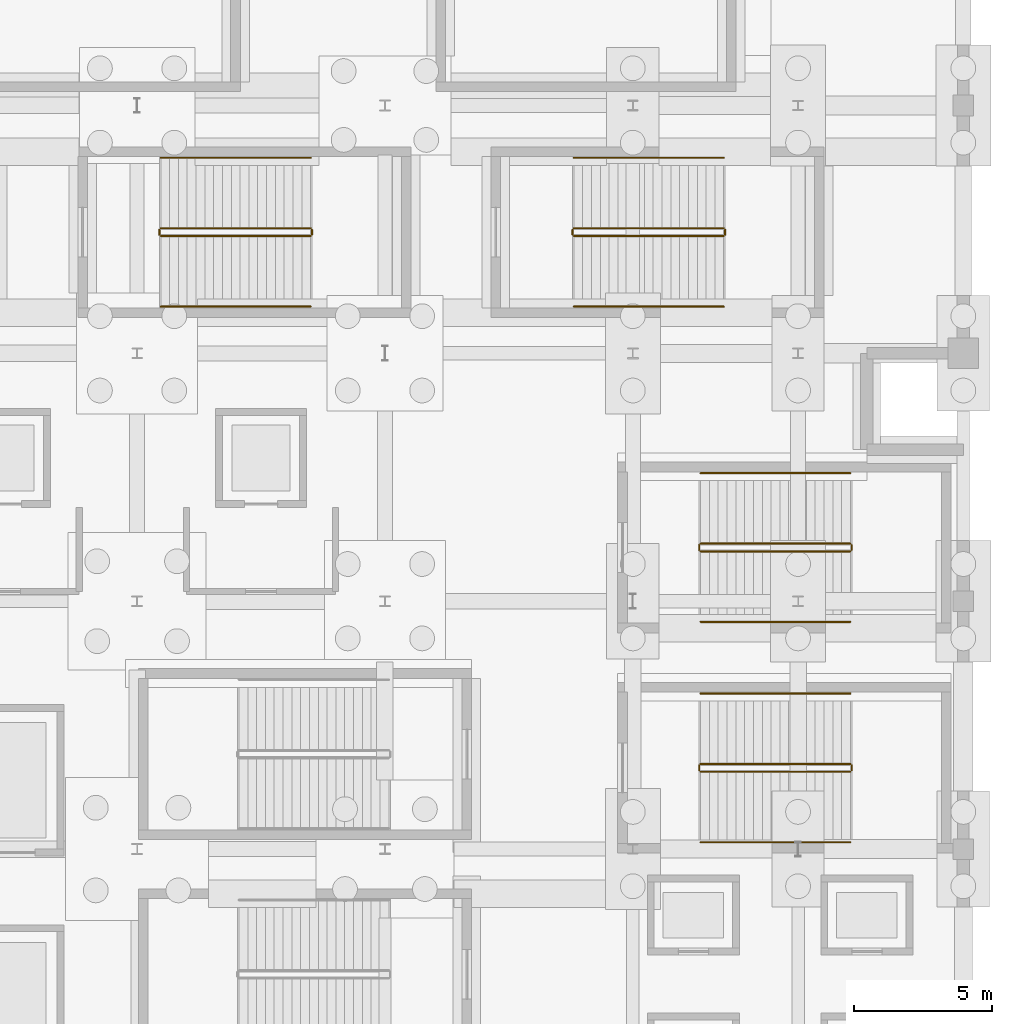
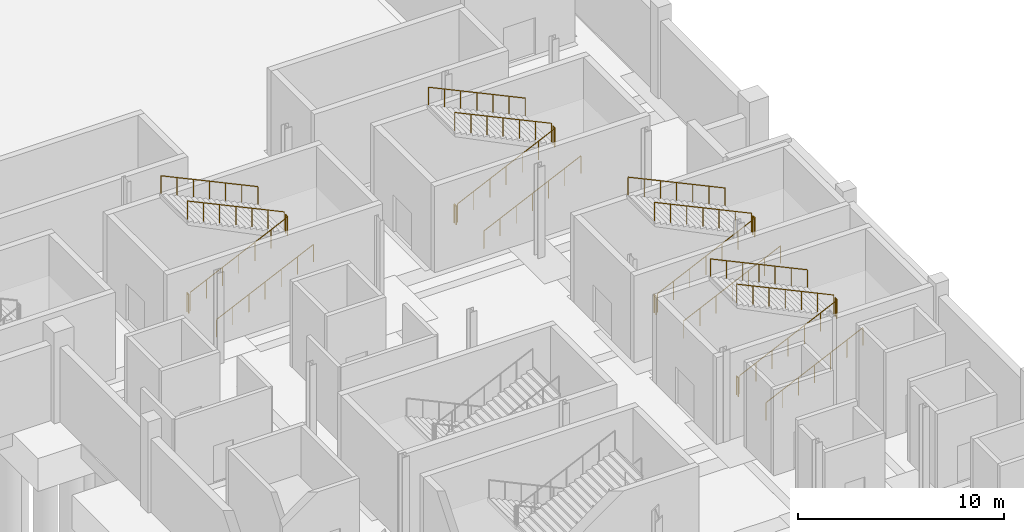
# One storey, part 55 of 58: 24 railings.
"""IFC4 building model written with IfcOpenShell, lengths in metres."""

from ifc_helpers import new_model, si_unit, direction, frame, origin, origin_2d, place, context, subcontext, project, spatial, circle, extrude, material, type_object, element, save


model = new_model("IFC4")

# Units and contexts
model_context = context("Model", 3, precision=1e-05, world=origin(), true_north=direction((0.0, 1.0)))
body_context = subcontext(model_context, "Body", "Model", "MODEL_VIEW")
ifc_project = project(units=[si_unit("LENGTHUNIT", "METRE"), si_unit("AREAUNIT", "SQUARE_METRE"), si_unit("VOLUMEUNIT", "CUBIC_METRE"), si_unit("PLANEANGLEUNIT", "RADIAN"), si_unit("MASSUNIT", "GRAM", prefix="KILO")], contexts=[model_context])

# Site, building, storey
site_placement = place(None, origin())
site = spatial("IfcSite", under=ifc_project, at=site_placement, CompositionType="ELEMENT")
building_placement = place(site_placement, origin())
building = spatial("IfcBuilding", under=site, at=building_placement, Name="Qamarlyn Nura Convention Centre", CompositionType="ELEMENT")
storey_placement = place(building_placement, frame((0.0, 0.0, -5.39990234375)))
storey = spatial("IfcBuildingStorey", under=building, at=storey_placement, Name="B01", CompositionType="ELEMENT", Elevation=-5.39990234375)

# Railings
ifc_material = material(Name="Marine Grade 316 stainless steel", Category="steel")
railing_type_1 = type_object("IfcRailingType", Name="GRD-STAIR-112", PredefinedType="BALUSTRADE", material=ifc_material)
railing_1_placement = place(storey_placement, frame((182.4599609375, 65.81005859375, 0.14990234375)))
element("IfcRailing", 1, at=railing_1_placement, inside=storey, type_object=railing_type_1, Name="B01 ST-13 stair guard 1", PredefinedType="BALUSTRADE", context=body_context, shape_type="SweptSolid", body=[
    extrude(circle(Radius=0.02392578125, at=origin_2d()), frame((0.0, 0.0, 1.09619140625), z_axis=(0.90545405566, 0.0, 0.424444287379), x_axis=(0.0, 1.0, 0.0)), (0.0, 0.0, 1.0), 6.008056640625),
    extrude(circle(Radius=0.02099609375, at=origin_2d()), origin(), (0.0, 0.0, 1.0), 1.070068359375),
    extrude(circle(Radius=0.02099609375, at=origin_2d()), frame((0.90673828125, 0.0, 0.425048828125)), (0.0, 0.0, 1.0), 1.070068359375),
    extrude(circle(Radius=0.02099609375, at=origin_2d()), frame((1.813232421875, 0.0, 0.85009765625)), (0.0, 0.0, 1.0), 1.070068359375),
    extrude(circle(Radius=0.02099609375, at=origin_2d()), frame((2.719970703125, 0.0, 1.27490234375)), (0.0, 0.0, 1.0), 1.070068359375),
    extrude(circle(Radius=0.02099609375, at=origin_2d()), frame((3.626708984375, 0.0, 1.699951171875)), (0.0, 0.0, 1.0), 1.070068359375),
    extrude(circle(Radius=0.02099609375, at=origin_2d()), frame((4.533203125, 0.0, 2.125)), (0.0, 0.0, 1.0), 1.070068359375),
    extrude(circle(Radius=0.02099609375, at=origin_2d()), frame((5.43994140625, 0.0, 2.550048828125)), (0.0, 0.0, 1.0), 1.070068359375),
])
railing_2_placement = place(storey_placement, frame((187.949951171875, 65.860107421875, 2.699951171875)))
element("IfcRailing", 2, at=railing_2_placement, inside=storey, type_object=railing_type_1, Name="B01 ST-13 stair guard 2", PredefinedType="BALUSTRADE", context=body_context, shape_type="SweptSolid", body=[
    extrude(circle(Radius=0.02392578125, at=origin_2d()), frame((0.0, 0.0, 1.09619140625), z_axis=(0.0, 1.0, 0.0), x_axis=(-1.0, 0.0, 0.0)), (0.0, 0.0, 1.0), 0.179931640625),
    extrude(circle(Radius=0.02099609375, at=origin_2d()), origin(), (0.0, 0.0, 1.0), 1.070068359375),
    extrude(circle(Radius=0.02099609375, at=origin_2d()), frame((0.0, 0.179931640625, 0.0)), (0.0, 0.0, 1.0), 1.070068359375),
])
railing_3_placement = place(storey_placement, frame((187.89990234375, 66.090087890625, 2.849853515625)))
element("IfcRailing", 3, at=railing_3_placement, inside=storey, type_object=railing_type_1, Name="B01 ST-13 stair guard 3", PredefinedType="BALUSTRADE", context=body_context, shape_type="SweptSolid", body=[
    extrude(circle(Radius=0.02392578125, at=origin_2d()), frame((0.0, 0.0, 1.09619140625), z_axis=(-0.90545405566, 0.0, 0.424444287379), x_axis=(0.0, -1.0, 0.0)), (0.0, 0.0, 1.0), 6.008056640625),
    extrude(circle(Radius=0.02099609375, at=origin_2d()), origin(), (0.0, 0.0, 1.0), 1.070068359375),
    extrude(circle(Radius=0.02099609375, at=origin_2d()), frame((-0.90673828125, 0.0, 0.425048828125)), (0.0, 0.0, 1.0), 1.070068359375),
    extrude(circle(Radius=0.02099609375, at=origin_2d()), frame((-1.813232421875, 0.0, 0.85009765625)), (0.0, 0.0, 1.0), 1.070068359375),
    extrude(circle(Radius=0.02099609375, at=origin_2d()), frame((-2.719970703125, 0.0, 1.27490234375)), (0.0, 0.0, 1.0), 1.070068359375),
    extrude(circle(Radius=0.02099609375, at=origin_2d()), frame((-3.626708984375, 0.0, 1.699951171875)), (0.0, 0.0, 1.0), 1.070068359375),
    extrude(circle(Radius=0.02099609375, at=origin_2d()), frame((-4.533203125, 0.0, 2.125)), (0.0, 0.0, 1.0), 1.070068359375),
    extrude(circle(Radius=0.02099609375, at=origin_2d()), frame((-5.43994140625, 0.0, 2.550048828125)), (0.0, 0.0, 1.0), 1.070068359375),
])
railing_4_placement = place(storey_placement, frame((182.409912109375, 65.860107421875, 0.0)))
element("IfcRailing", 4, at=railing_4_placement, inside=storey, type_object=railing_type_1, Name="B01 ST-13 stair guard 4", PredefinedType="BALUSTRADE", context=body_context, shape_type="SweptSolid", body=[
    extrude(circle(Radius=0.02392578125, at=origin_2d()), frame((0.0, 0.0, 1.09619140625), z_axis=(0.0, 1.0, 0.0), x_axis=(-1.0, 0.0, 0.0)), (0.0, 0.0, 1.0), 0.179931640625),
    extrude(circle(Radius=0.02099609375, at=origin_2d()), origin(), (0.0, 0.0, 1.0), 1.070068359375),
    extrude(circle(Radius=0.02099609375, at=origin_2d()), frame((0.0, 0.179931640625, 0.0)), (0.0, 0.0, 1.0), 1.070068359375),
])
railing_5_placement = place(storey_placement, frame((182.4599609375, 73.81005859375, 0.14990234375)))
element("IfcRailing", 5, at=railing_5_placement, inside=storey, type_object=railing_type_1, Name="B01 ST-14 stair guard 1", PredefinedType="BALUSTRADE", context=body_context, shape_type="SweptSolid", body=[
    extrude(circle(Radius=0.02392578125, at=origin_2d()), frame((0.0, 0.0, 1.09619140625), z_axis=(0.90545405566, 0.0, 0.424444287379), x_axis=(0.0, 1.0, 0.0)), (0.0, 0.0, 1.0), 6.008056640625),
    extrude(circle(Radius=0.02099609375, at=origin_2d()), origin(), (0.0, 0.0, 1.0), 1.070068359375),
    extrude(circle(Radius=0.02099609375, at=origin_2d()), frame((0.90673828125, 0.0, 0.425048828125)), (0.0, 0.0, 1.0), 1.070068359375),
    extrude(circle(Radius=0.02099609375, at=origin_2d()), frame((1.813232421875, 0.0, 0.85009765625)), (0.0, 0.0, 1.0), 1.070068359375),
    extrude(circle(Radius=0.02099609375, at=origin_2d()), frame((2.719970703125, 0.0, 1.27490234375)), (0.0, 0.0, 1.0), 1.070068359375),
    extrude(circle(Radius=0.02099609375, at=origin_2d()), frame((3.626708984375, 0.0, 1.699951171875)), (0.0, 0.0, 1.0), 1.070068359375),
    extrude(circle(Radius=0.02099609375, at=origin_2d()), frame((4.533203125, 0.0, 2.125)), (0.0, 0.0, 1.0), 1.070068359375),
    extrude(circle(Radius=0.02099609375, at=origin_2d()), frame((5.43994140625, 0.0, 2.550048828125)), (0.0, 0.0, 1.0), 1.070068359375),
])
railing_6_placement = place(storey_placement, frame((187.949951171875, 73.860107421875, 2.699951171875)))
element("IfcRailing", 6, at=railing_6_placement, inside=storey, type_object=railing_type_1, Name="B01 ST-14 stair guard 2", PredefinedType="BALUSTRADE", context=body_context, shape_type="SweptSolid", body=[
    extrude(circle(Radius=0.02392578125, at=origin_2d()), frame((0.0, 0.0, 1.09619140625), z_axis=(0.0, 1.0, 0.0), x_axis=(-1.0, 0.0, 0.0)), (0.0, 0.0, 1.0), 0.179931640625),
    extrude(circle(Radius=0.02099609375, at=origin_2d()), origin(), (0.0, 0.0, 1.0), 1.070068359375),
    extrude(circle(Radius=0.02099609375, at=origin_2d()), frame((0.0, 0.179931640625, 0.0)), (0.0, 0.0, 1.0), 1.070068359375),
])
railing_7_placement = place(storey_placement, frame((187.89990234375, 74.090087890625, 2.849853515625)))
element("IfcRailing", 7, at=railing_7_placement, inside=storey, type_object=railing_type_1, Name="B01 ST-14 stair guard 3", PredefinedType="BALUSTRADE", context=body_context, shape_type="SweptSolid", body=[
    extrude(circle(Radius=0.02392578125, at=origin_2d()), frame((0.0, 0.0, 1.09619140625), z_axis=(-0.90545405566, 0.0, 0.424444287379), x_axis=(0.0, -1.0, 0.0)), (0.0, 0.0, 1.0), 6.008056640625),
    extrude(circle(Radius=0.02099609375, at=origin_2d()), origin(), (0.0, 0.0, 1.0), 1.070068359375),
    extrude(circle(Radius=0.02099609375, at=origin_2d()), frame((-0.90673828125, 0.0, 0.425048828125)), (0.0, 0.0, 1.0), 1.070068359375),
    extrude(circle(Radius=0.02099609375, at=origin_2d()), frame((-1.813232421875, 0.0, 0.85009765625)), (0.0, 0.0, 1.0), 1.070068359375),
    extrude(circle(Radius=0.02099609375, at=origin_2d()), frame((-2.719970703125, 0.0, 1.27490234375)), (0.0, 0.0, 1.0), 1.070068359375),
    extrude(circle(Radius=0.02099609375, at=origin_2d()), frame((-3.626708984375, 0.0, 1.699951171875)), (0.0, 0.0, 1.0), 1.070068359375),
    extrude(circle(Radius=0.02099609375, at=origin_2d()), frame((-4.533203125, 0.0, 2.125)), (0.0, 0.0, 1.0), 1.070068359375),
    extrude(circle(Radius=0.02099609375, at=origin_2d()), frame((-5.43994140625, 0.0, 2.550048828125)), (0.0, 0.0, 1.0), 1.070068359375),
])
railing_8_placement = place(storey_placement, frame((182.409912109375, 73.860107421875, 0.0)))
element("IfcRailing", 8, at=railing_8_placement, inside=storey, type_object=railing_type_1, Name="B01 ST-14 stair guard 4", PredefinedType="BALUSTRADE", context=body_context, shape_type="SweptSolid", body=[
    extrude(circle(Radius=0.02392578125, at=origin_2d()), frame((0.0, 0.0, 1.09619140625), z_axis=(0.0, 1.0, 0.0), x_axis=(-1.0, 0.0, 0.0)), (0.0, 0.0, 1.0), 0.179931640625),
    extrude(circle(Radius=0.02099609375, at=origin_2d()), origin(), (0.0, 0.0, 1.0), 1.070068359375),
    extrude(circle(Radius=0.02099609375, at=origin_2d()), frame((0.0, 0.179931640625, 0.0)), (0.0, 0.0, 1.0), 1.070068359375),
])
railing_9_placement = place(storey_placement, frame((162.860107421875, 85.260009765625, 0.14990234375)))
element("IfcRailing", 9, at=railing_9_placement, inside=storey, type_object=railing_type_1, Name="B01 ST-16 stair guard 1", PredefinedType="BALUSTRADE", context=body_context, shape_type="SweptSolid", body=[
    extrude(circle(Radius=0.02392578125, at=origin_2d()), frame((0.0, 0.0, 1.09619140625), z_axis=(0.90545405566, 0.0, 0.424444287379), x_axis=(0.0, 1.0, 0.0)), (0.0, 0.0, 1.0), 6.008056640625),
    extrude(circle(Radius=0.02099609375, at=origin_2d()), origin(), (0.0, 0.0, 1.0), 1.070068359375),
    extrude(circle(Radius=0.02099609375, at=origin_2d()), frame((0.90673828125, 0.0, 0.425048828125)), (0.0, 0.0, 1.0), 1.070068359375),
    extrude(circle(Radius=0.02099609375, at=origin_2d()), frame((1.813232421875, 0.0, 0.85009765625)), (0.0, 0.0, 1.0), 1.070068359375),
    extrude(circle(Radius=0.02099609375, at=origin_2d()), frame((2.719970703125, 0.0, 1.27490234375)), (0.0, 0.0, 1.0), 1.070068359375),
    extrude(circle(Radius=0.02099609375, at=origin_2d()), frame((3.626708984375, 0.0, 1.699951171875)), (0.0, 0.0, 1.0), 1.070068359375),
    extrude(circle(Radius=0.02099609375, at=origin_2d()), frame((4.533203125, 0.0, 2.125)), (0.0, 0.0, 1.0), 1.070068359375),
    extrude(circle(Radius=0.02099609375, at=origin_2d()), frame((5.43994140625, 0.0, 2.550048828125)), (0.0, 0.0, 1.0), 1.070068359375),
])
railing_10_placement = place(storey_placement, frame((168.35009765625, 85.31005859375, 2.699951171875)))
element("IfcRailing", 10, at=railing_10_placement, inside=storey, type_object=railing_type_1, Name="B01 ST-16 stair guard 2", PredefinedType="BALUSTRADE", context=body_context, shape_type="SweptSolid", body=[
    extrude(circle(Radius=0.02392578125, at=origin_2d()), frame((0.0, 0.0, 1.09619140625), z_axis=(0.0, 1.0, 0.0), x_axis=(-1.0, 0.0, 0.0)), (0.0, 0.0, 1.0), 0.179931640625),
    extrude(circle(Radius=0.02099609375, at=origin_2d()), origin(), (0.0, 0.0, 1.0), 1.070068359375),
    extrude(circle(Radius=0.02099609375, at=origin_2d()), frame((0.0, 0.179931640625, 0.0)), (0.0, 0.0, 1.0), 1.070068359375),
])
railing_11_placement = place(storey_placement, frame((168.300048828125, 85.5400390625, 2.849853515625)))
element("IfcRailing", 11, at=railing_11_placement, inside=storey, type_object=railing_type_1, Name="B01 ST-16 stair guard 3", PredefinedType="BALUSTRADE", context=body_context, shape_type="SweptSolid", body=[
    extrude(circle(Radius=0.02392578125, at=origin_2d()), frame((0.0, 0.0, 1.09619140625), z_axis=(-0.90545405566, 0.0, 0.424444287379), x_axis=(0.0, -1.0, 0.0)), (0.0, 0.0, 1.0), 6.008056640625),
    extrude(circle(Radius=0.02099609375, at=origin_2d()), origin(), (0.0, 0.0, 1.0), 1.070068359375),
    extrude(circle(Radius=0.02099609375, at=origin_2d()), frame((-0.90673828125, 0.0, 0.425048828125)), (0.0, 0.0, 1.0), 1.070068359375),
    extrude(circle(Radius=0.02099609375, at=origin_2d()), frame((-1.813232421875, 0.0, 0.85009765625)), (0.0, 0.0, 1.0), 1.070068359375),
    extrude(circle(Radius=0.02099609375, at=origin_2d()), frame((-2.719970703125, 0.0, 1.27490234375)), (0.0, 0.0, 1.0), 1.070068359375),
    extrude(circle(Radius=0.02099609375, at=origin_2d()), frame((-3.626708984375, 0.0, 1.699951171875)), (0.0, 0.0, 1.0), 1.070068359375),
    extrude(circle(Radius=0.02099609375, at=origin_2d()), frame((-4.533203125, 0.0, 2.125)), (0.0, 0.0, 1.0), 1.070068359375),
    extrude(circle(Radius=0.02099609375, at=origin_2d()), frame((-5.43994140625, 0.0, 2.550048828125)), (0.0, 0.0, 1.0), 1.070068359375),
])
railing_12_placement = place(storey_placement, frame((162.81005859375, 85.31005859375, 0.0)))
element("IfcRailing", 12, at=railing_12_placement, inside=storey, type_object=railing_type_1, Name="B01 ST-16 stair guard 4", PredefinedType="BALUSTRADE", context=body_context, shape_type="SweptSolid", body=[
    extrude(circle(Radius=0.02392578125, at=origin_2d()), frame((0.0, 0.0, 1.09619140625), z_axis=(0.0, 1.0, 0.0), x_axis=(-1.0, 0.0, 0.0)), (0.0, 0.0, 1.0), 0.179931640625),
    extrude(circle(Radius=0.02099609375, at=origin_2d()), origin(), (0.0, 0.0, 1.0), 1.070068359375),
    extrude(circle(Radius=0.02099609375, at=origin_2d()), frame((0.0, 0.179931640625, 0.0)), (0.0, 0.0, 1.0), 1.070068359375),
])
railing_13_placement = place(storey_placement, frame((177.860107421875, 85.260009765625, 0.14990234375)))
element("IfcRailing", 13, at=railing_13_placement, inside=storey, type_object=railing_type_1, Name="B01 ST-17 stair guard 1", PredefinedType="BALUSTRADE", context=body_context, shape_type="SweptSolid", body=[
    extrude(circle(Radius=0.02392578125, at=origin_2d()), frame((0.0, 0.0, 1.09619140625), z_axis=(0.90545405566, 0.0, 0.424444287379), x_axis=(0.0, 1.0, 0.0)), (0.0, 0.0, 1.0), 6.008056640625),
    extrude(circle(Radius=0.02099609375, at=origin_2d()), origin(), (0.0, 0.0, 1.0), 1.070068359375),
    extrude(circle(Radius=0.02099609375, at=origin_2d()), frame((0.90673828125, 0.0, 0.425048828125)), (0.0, 0.0, 1.0), 1.070068359375),
    extrude(circle(Radius=0.02099609375, at=origin_2d()), frame((1.813232421875, 0.0, 0.85009765625)), (0.0, 0.0, 1.0), 1.070068359375),
    extrude(circle(Radius=0.02099609375, at=origin_2d()), frame((2.719970703125, 0.0, 1.27490234375)), (0.0, 0.0, 1.0), 1.070068359375),
    extrude(circle(Radius=0.02099609375, at=origin_2d()), frame((3.626708984375, 0.0, 1.699951171875)), (0.0, 0.0, 1.0), 1.070068359375),
    extrude(circle(Radius=0.02099609375, at=origin_2d()), frame((4.533203125, 0.0, 2.125)), (0.0, 0.0, 1.0), 1.070068359375),
    extrude(circle(Radius=0.02099609375, at=origin_2d()), frame((5.43994140625, 0.0, 2.550048828125)), (0.0, 0.0, 1.0), 1.070068359375),
])
railing_14_placement = place(storey_placement, frame((183.35009765625, 85.31005859375, 2.699951171875)))
element("IfcRailing", 14, at=railing_14_placement, inside=storey, type_object=railing_type_1, Name="B01 ST-17 stair guard 2", PredefinedType="BALUSTRADE", context=body_context, shape_type="SweptSolid", body=[
    extrude(circle(Radius=0.02392578125, at=origin_2d()), frame((0.0, 0.0, 1.09619140625), z_axis=(0.0, 1.0, 0.0), x_axis=(-1.0, 0.0, 0.0)), (0.0, 0.0, 1.0), 0.179931640625),
    extrude(circle(Radius=0.02099609375, at=origin_2d()), origin(), (0.0, 0.0, 1.0), 1.070068359375),
    extrude(circle(Radius=0.02099609375, at=origin_2d()), frame((0.0, 0.179931640625, 0.0)), (0.0, 0.0, 1.0), 1.070068359375),
])
railing_15_placement = place(storey_placement, frame((183.300048828125, 85.5400390625, 2.849853515625)))
element("IfcRailing", 15, at=railing_15_placement, inside=storey, type_object=railing_type_1, Name="B01 ST-17 stair guard 3", PredefinedType="BALUSTRADE", context=body_context, shape_type="SweptSolid", body=[
    extrude(circle(Radius=0.02392578125, at=origin_2d()), frame((0.0, 0.0, 1.09619140625), z_axis=(-0.90545405566, 0.0, 0.424444287379), x_axis=(0.0, -1.0, 0.0)), (0.0, 0.0, 1.0), 6.008056640625),
    extrude(circle(Radius=0.02099609375, at=origin_2d()), origin(), (0.0, 0.0, 1.0), 1.070068359375),
    extrude(circle(Radius=0.02099609375, at=origin_2d()), frame((-0.90673828125, 0.0, 0.425048828125)), (0.0, 0.0, 1.0), 1.070068359375),
    extrude(circle(Radius=0.02099609375, at=origin_2d()), frame((-1.813232421875, 0.0, 0.85009765625)), (0.0, 0.0, 1.0), 1.070068359375),
    extrude(circle(Radius=0.02099609375, at=origin_2d()), frame((-2.719970703125, 0.0, 1.27490234375)), (0.0, 0.0, 1.0), 1.070068359375),
    extrude(circle(Radius=0.02099609375, at=origin_2d()), frame((-3.626708984375, 0.0, 1.699951171875)), (0.0, 0.0, 1.0), 1.070068359375),
    extrude(circle(Radius=0.02099609375, at=origin_2d()), frame((-4.533203125, 0.0, 2.125)), (0.0, 0.0, 1.0), 1.070068359375),
    extrude(circle(Radius=0.02099609375, at=origin_2d()), frame((-5.43994140625, 0.0, 2.550048828125)), (0.0, 0.0, 1.0), 1.070068359375),
])
railing_16_placement = place(storey_placement, frame((177.81005859375, 85.31005859375, 0.0)))
element("IfcRailing", 16, at=railing_16_placement, inside=storey, type_object=railing_type_1, Name="B01 ST-17 stair guard 4", PredefinedType="BALUSTRADE", context=body_context, shape_type="SweptSolid", body=[
    extrude(circle(Radius=0.02392578125, at=origin_2d()), frame((0.0, 0.0, 1.09619140625), z_axis=(0.0, 1.0, 0.0), x_axis=(-1.0, 0.0, 0.0)), (0.0, 0.0, 1.0), 0.179931640625),
    extrude(circle(Radius=0.02099609375, at=origin_2d()), origin(), (0.0, 0.0, 1.0), 1.070068359375),
    extrude(circle(Radius=0.02099609375, at=origin_2d()), frame((0.0, 0.179931640625, 0.0)), (0.0, 0.0, 1.0), 1.070068359375),
])
railing_type_2 = type_object("IfcRailingType", Name="HRL-STAIR-090", PredefinedType="HANDRAIL", material=ifc_material)
railing_17_placement = place(storey_placement, frame((182.4599609375, 63.25, 0.30224609375)))
element("IfcRailing", 17, at=railing_17_placement, inside=storey, type_object=railing_type_2, Name="B01 ST-13 stair handrail 1", PredefinedType="HANDRAIL", context=body_context, shape_type="SweptSolid", body=[
    extrude(circle(Radius=0.02392578125, at=origin_2d()), frame((0.0, 0.0, 0.88818359375), z_axis=(0.90545405566, 0.0, 0.424444287379), x_axis=(0.0, 1.0, 0.0)), (0.0, 0.0, 1.0), 6.008056640625),
    extrude(circle(Radius=0.02099609375, at=origin_2d()), frame((0.0, 0.0, -0.155029296875)), (0.0, 0.0, 1.0), 1.01708984375),
    extrude(circle(Radius=0.02099609375, at=origin_2d()), frame((0.90673828125, 0.0, 0.27001953125)), (0.0, 0.0, 1.0), 1.01708984375),
    extrude(circle(Radius=0.02099609375, at=origin_2d()), frame((1.813232421875, 0.0, 0.695068359375)), (0.0, 0.0, 1.0), 1.01708984375),
    extrude(circle(Radius=0.02099609375, at=origin_2d()), frame((2.719970703125, 0.0, 1.1201171875)), (0.0, 0.0, 1.0), 1.01708984375),
    extrude(circle(Radius=0.02099609375, at=origin_2d()), frame((3.626708984375, 0.0, 1.544921875)), (0.0, 0.0, 1.0), 1.01708984375),
    extrude(circle(Radius=0.02099609375, at=origin_2d()), frame((4.533203125, 0.0, 1.969970703125)), (0.0, 0.0, 1.0), 1.01708984375),
    extrude(circle(Radius=0.02099609375, at=origin_2d()), frame((5.43994140625, 0.0, 2.39501953125)), (0.0, 0.0, 1.0), 1.01708984375),
])
railing_18_placement = place(storey_placement, frame((187.89990234375, 68.64990234375, 3.002197265625)))
element("IfcRailing", 18, at=railing_18_placement, inside=storey, type_object=railing_type_2, Name="B01 ST-13 stair handrail 2", PredefinedType="HANDRAIL", context=body_context, shape_type="SweptSolid", body=[
    extrude(circle(Radius=0.02392578125, at=origin_2d()), frame((0.0, 0.0, 0.88818359375), z_axis=(-0.90545405566, 0.0, 0.424444287379), x_axis=(0.0, -1.0, 0.0)), (0.0, 0.0, 1.0), 6.008056640625),
    extrude(circle(Radius=0.02099609375, at=origin_2d()), frame((0.0, 0.0, -0.155029296875)), (0.0, 0.0, 1.0), 1.01708984375),
    extrude(circle(Radius=0.02099609375, at=origin_2d()), frame((-0.90673828125, 0.0, 0.27001953125)), (0.0, 0.0, 1.0), 1.01708984375),
    extrude(circle(Radius=0.02099609375, at=origin_2d()), frame((-1.813232421875, 0.0, 0.695068359375)), (0.0, 0.0, 1.0), 1.01708984375),
    extrude(circle(Radius=0.02099609375, at=origin_2d()), frame((-2.719970703125, 0.0, 1.1201171875)), (0.0, 0.0, 1.0), 1.01708984375),
    extrude(circle(Radius=0.02099609375, at=origin_2d()), frame((-3.626708984375, 0.0, 1.544921875)), (0.0, 0.0, 1.0), 1.01708984375),
    extrude(circle(Radius=0.02099609375, at=origin_2d()), frame((-4.533203125, 0.0, 1.969970703125)), (0.0, 0.0, 1.0), 1.01708984375),
    extrude(circle(Radius=0.02099609375, at=origin_2d()), frame((-5.43994140625, 0.0, 2.39501953125)), (0.0, 0.0, 1.0), 1.01708984375),
])
railing_19_placement = place(storey_placement, frame((182.4599609375, 71.25, 0.30224609375)))
element("IfcRailing", 19, at=railing_19_placement, inside=storey, type_object=railing_type_2, Name="B01 ST-14 stair handrail 1", PredefinedType="HANDRAIL", context=body_context, shape_type="SweptSolid", body=[
    extrude(circle(Radius=0.02392578125, at=origin_2d()), frame((0.0, 0.0, 0.88818359375), z_axis=(0.90545405566, 0.0, 0.424444287379), x_axis=(0.0, 1.0, 0.0)), (0.0, 0.0, 1.0), 6.008056640625),
    extrude(circle(Radius=0.02099609375, at=origin_2d()), frame((0.0, 0.0, -0.155029296875)), (0.0, 0.0, 1.0), 1.01708984375),
    extrude(circle(Radius=0.02099609375, at=origin_2d()), frame((0.90673828125, 0.0, 0.27001953125)), (0.0, 0.0, 1.0), 1.01708984375),
    extrude(circle(Radius=0.02099609375, at=origin_2d()), frame((1.813232421875, 0.0, 0.695068359375)), (0.0, 0.0, 1.0), 1.01708984375),
    extrude(circle(Radius=0.02099609375, at=origin_2d()), frame((2.719970703125, 0.0, 1.1201171875)), (0.0, 0.0, 1.0), 1.01708984375),
    extrude(circle(Radius=0.02099609375, at=origin_2d()), frame((3.626708984375, 0.0, 1.544921875)), (0.0, 0.0, 1.0), 1.01708984375),
    extrude(circle(Radius=0.02099609375, at=origin_2d()), frame((4.533203125, 0.0, 1.969970703125)), (0.0, 0.0, 1.0), 1.01708984375),
    extrude(circle(Radius=0.02099609375, at=origin_2d()), frame((5.43994140625, 0.0, 2.39501953125)), (0.0, 0.0, 1.0), 1.01708984375),
])
railing_20_placement = place(storey_placement, frame((187.89990234375, 76.64990234375, 3.002197265625)))
element("IfcRailing", 20, at=railing_20_placement, inside=storey, type_object=railing_type_2, Name="B01 ST-14 stair handrail 2", PredefinedType="HANDRAIL", context=body_context, shape_type="SweptSolid", body=[
    extrude(circle(Radius=0.02392578125, at=origin_2d()), frame((0.0, 0.0, 0.88818359375), z_axis=(-0.90545405566, 0.0, 0.424444287379), x_axis=(0.0, -1.0, 0.0)), (0.0, 0.0, 1.0), 6.008056640625),
    extrude(circle(Radius=0.02099609375, at=origin_2d()), frame((0.0, 0.0, -0.155029296875)), (0.0, 0.0, 1.0), 1.01708984375),
    extrude(circle(Radius=0.02099609375, at=origin_2d()), frame((-0.90673828125, 0.0, 0.27001953125)), (0.0, 0.0, 1.0), 1.01708984375),
    extrude(circle(Radius=0.02099609375, at=origin_2d()), frame((-1.813232421875, 0.0, 0.695068359375)), (0.0, 0.0, 1.0), 1.01708984375),
    extrude(circle(Radius=0.02099609375, at=origin_2d()), frame((-2.719970703125, 0.0, 1.1201171875)), (0.0, 0.0, 1.0), 1.01708984375),
    extrude(circle(Radius=0.02099609375, at=origin_2d()), frame((-3.626708984375, 0.0, 1.544921875)), (0.0, 0.0, 1.0), 1.01708984375),
    extrude(circle(Radius=0.02099609375, at=origin_2d()), frame((-4.533203125, 0.0, 1.969970703125)), (0.0, 0.0, 1.0), 1.01708984375),
    extrude(circle(Radius=0.02099609375, at=origin_2d()), frame((-5.43994140625, 0.0, 2.39501953125)), (0.0, 0.0, 1.0), 1.01708984375),
])
railing_21_placement = place(storey_placement, frame((162.860107421875, 82.699951171875, 0.30224609375)))
element("IfcRailing", 21, at=railing_21_placement, inside=storey, type_object=railing_type_2, Name="B01 ST-16 stair handrail 1", PredefinedType="HANDRAIL", context=body_context, shape_type="SweptSolid", body=[
    extrude(circle(Radius=0.02392578125, at=origin_2d()), frame((0.0, 0.0, 0.88818359375), z_axis=(0.90545405566, 0.0, 0.424444287379), x_axis=(0.0, 1.0, 0.0)), (0.0, 0.0, 1.0), 6.008056640625),
    extrude(circle(Radius=0.02099609375, at=origin_2d()), frame((0.0, 0.0, -0.155029296875)), (0.0, 0.0, 1.0), 1.01708984375),
    extrude(circle(Radius=0.02099609375, at=origin_2d()), frame((0.90673828125, 0.0, 0.27001953125)), (0.0, 0.0, 1.0), 1.01708984375),
    extrude(circle(Radius=0.02099609375, at=origin_2d()), frame((1.813232421875, 0.0, 0.695068359375)), (0.0, 0.0, 1.0), 1.01708984375),
    extrude(circle(Radius=0.02099609375, at=origin_2d()), frame((2.719970703125, 0.0, 1.1201171875)), (0.0, 0.0, 1.0), 1.01708984375),
    extrude(circle(Radius=0.02099609375, at=origin_2d()), frame((3.626708984375, 0.0, 1.544921875)), (0.0, 0.0, 1.0), 1.01708984375),
    extrude(circle(Radius=0.02099609375, at=origin_2d()), frame((4.533203125, 0.0, 1.969970703125)), (0.0, 0.0, 1.0), 1.01708984375),
    extrude(circle(Radius=0.02099609375, at=origin_2d()), frame((5.43994140625, 0.0, 2.39501953125)), (0.0, 0.0, 1.0), 1.01708984375),
])
railing_22_placement = place(storey_placement, frame((168.300048828125, 88.10009765625, 3.002197265625)))
element("IfcRailing", 22, at=railing_22_placement, inside=storey, type_object=railing_type_2, Name="B01 ST-16 stair handrail 2", PredefinedType="HANDRAIL", context=body_context, shape_type="SweptSolid", body=[
    extrude(circle(Radius=0.02392578125, at=origin_2d()), frame((0.0, 0.0, 0.88818359375), z_axis=(-0.90545405566, 0.0, 0.424444287379), x_axis=(0.0, -1.0, 0.0)), (0.0, 0.0, 1.0), 6.008056640625),
    extrude(circle(Radius=0.02099609375, at=origin_2d()), frame((0.0, 0.0, -0.155029296875)), (0.0, 0.0, 1.0), 1.01708984375),
    extrude(circle(Radius=0.02099609375, at=origin_2d()), frame((-0.90673828125, 0.0, 0.27001953125)), (0.0, 0.0, 1.0), 1.01708984375),
    extrude(circle(Radius=0.02099609375, at=origin_2d()), frame((-1.813232421875, 0.0, 0.695068359375)), (0.0, 0.0, 1.0), 1.01708984375),
    extrude(circle(Radius=0.02099609375, at=origin_2d()), frame((-2.719970703125, 0.0, 1.1201171875)), (0.0, 0.0, 1.0), 1.01708984375),
    extrude(circle(Radius=0.02099609375, at=origin_2d()), frame((-3.626708984375, 0.0, 1.544921875)), (0.0, 0.0, 1.0), 1.01708984375),
    extrude(circle(Radius=0.02099609375, at=origin_2d()), frame((-4.533203125, 0.0, 1.969970703125)), (0.0, 0.0, 1.0), 1.01708984375),
    extrude(circle(Radius=0.02099609375, at=origin_2d()), frame((-5.43994140625, 0.0, 2.39501953125)), (0.0, 0.0, 1.0), 1.01708984375),
])
railing_23_placement = place(storey_placement, frame((177.860107421875, 82.699951171875, 0.30224609375)))
element("IfcRailing", 23, at=railing_23_placement, inside=storey, type_object=railing_type_2, Name="B01 ST-17 stair handrail 1", PredefinedType="HANDRAIL", context=body_context, shape_type="SweptSolid", body=[
    extrude(circle(Radius=0.02392578125, at=origin_2d()), frame((0.0, 0.0, 0.88818359375), z_axis=(0.90545405566, 0.0, 0.424444287379), x_axis=(0.0, 1.0, 0.0)), (0.0, 0.0, 1.0), 6.008056640625),
    extrude(circle(Radius=0.02099609375, at=origin_2d()), frame((0.0, 0.0, -0.155029296875)), (0.0, 0.0, 1.0), 1.01708984375),
    extrude(circle(Radius=0.02099609375, at=origin_2d()), frame((0.90673828125, 0.0, 0.27001953125)), (0.0, 0.0, 1.0), 1.01708984375),
    extrude(circle(Radius=0.02099609375, at=origin_2d()), frame((1.813232421875, 0.0, 0.695068359375)), (0.0, 0.0, 1.0), 1.01708984375),
    extrude(circle(Radius=0.02099609375, at=origin_2d()), frame((2.719970703125, 0.0, 1.1201171875)), (0.0, 0.0, 1.0), 1.01708984375),
    extrude(circle(Radius=0.02099609375, at=origin_2d()), frame((3.626708984375, 0.0, 1.544921875)), (0.0, 0.0, 1.0), 1.01708984375),
    extrude(circle(Radius=0.02099609375, at=origin_2d()), frame((4.533203125, 0.0, 1.969970703125)), (0.0, 0.0, 1.0), 1.01708984375),
    extrude(circle(Radius=0.02099609375, at=origin_2d()), frame((5.43994140625, 0.0, 2.39501953125)), (0.0, 0.0, 1.0), 1.01708984375),
])
railing_24_placement = place(storey_placement, frame((183.300048828125, 88.10009765625, 3.002197265625)))
element("IfcRailing", 24, at=railing_24_placement, inside=storey, type_object=railing_type_2, Name="B01 ST-17 stair handrail 2", PredefinedType="HANDRAIL", context=body_context, shape_type="SweptSolid", body=[
    extrude(circle(Radius=0.02392578125, at=origin_2d()), frame((0.0, 0.0, 0.88818359375), z_axis=(-0.90545405566, 0.0, 0.424444287379), x_axis=(0.0, -1.0, 0.0)), (0.0, 0.0, 1.0), 6.008056640625),
    extrude(circle(Radius=0.02099609375, at=origin_2d()), frame((0.0, 0.0, -0.155029296875)), (0.0, 0.0, 1.0), 1.01708984375),
    extrude(circle(Radius=0.02099609375, at=origin_2d()), frame((-0.90673828125, 0.0, 0.27001953125)), (0.0, 0.0, 1.0), 1.01708984375),
    extrude(circle(Radius=0.02099609375, at=origin_2d()), frame((-1.813232421875, 0.0, 0.695068359375)), (0.0, 0.0, 1.0), 1.01708984375),
    extrude(circle(Radius=0.02099609375, at=origin_2d()), frame((-2.719970703125, 0.0, 1.1201171875)), (0.0, 0.0, 1.0), 1.01708984375),
    extrude(circle(Radius=0.02099609375, at=origin_2d()), frame((-3.626708984375, 0.0, 1.544921875)), (0.0, 0.0, 1.0), 1.01708984375),
    extrude(circle(Radius=0.02099609375, at=origin_2d()), frame((-4.533203125, 0.0, 1.969970703125)), (0.0, 0.0, 1.0), 1.01708984375),
    extrude(circle(Radius=0.02099609375, at=origin_2d()), frame((-5.43994140625, 0.0, 2.39501953125)), (0.0, 0.0, 1.0), 1.01708984375),
])

save(model, "model.ifc")
